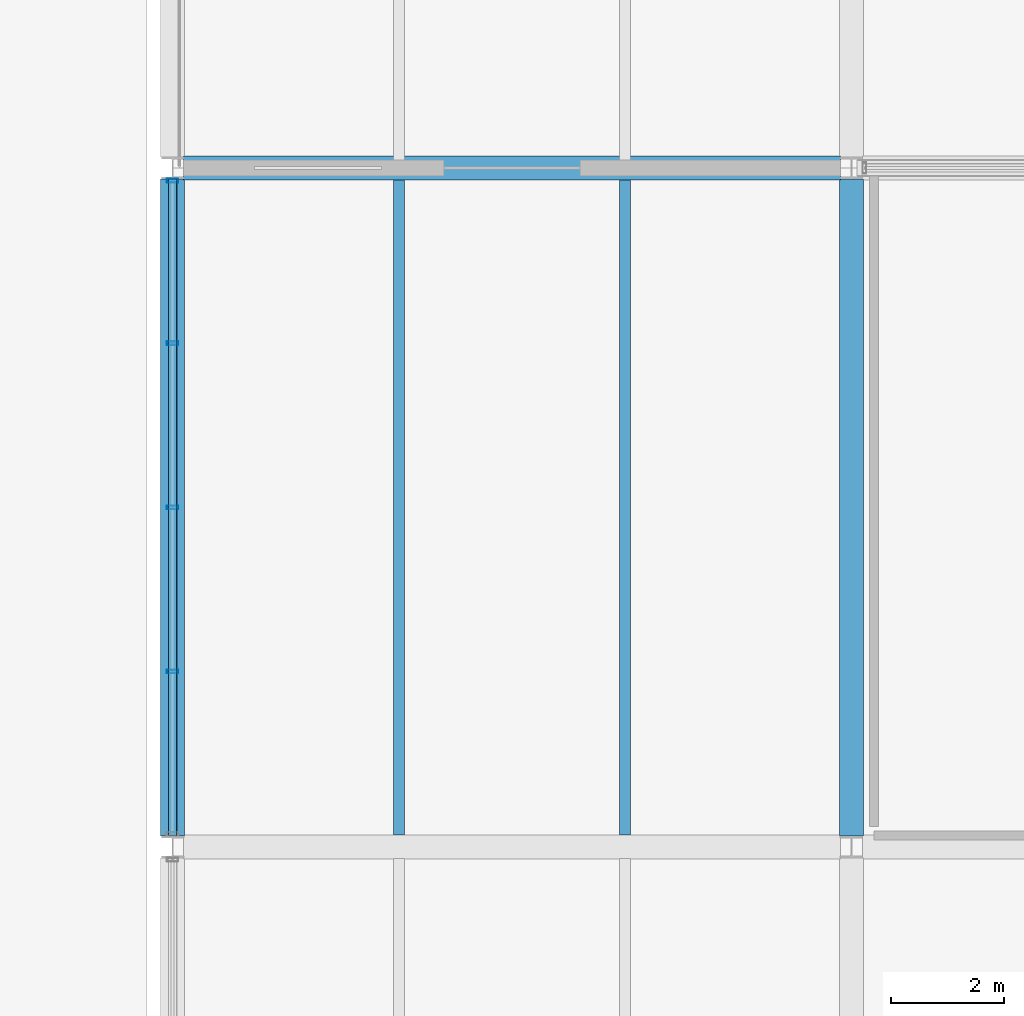
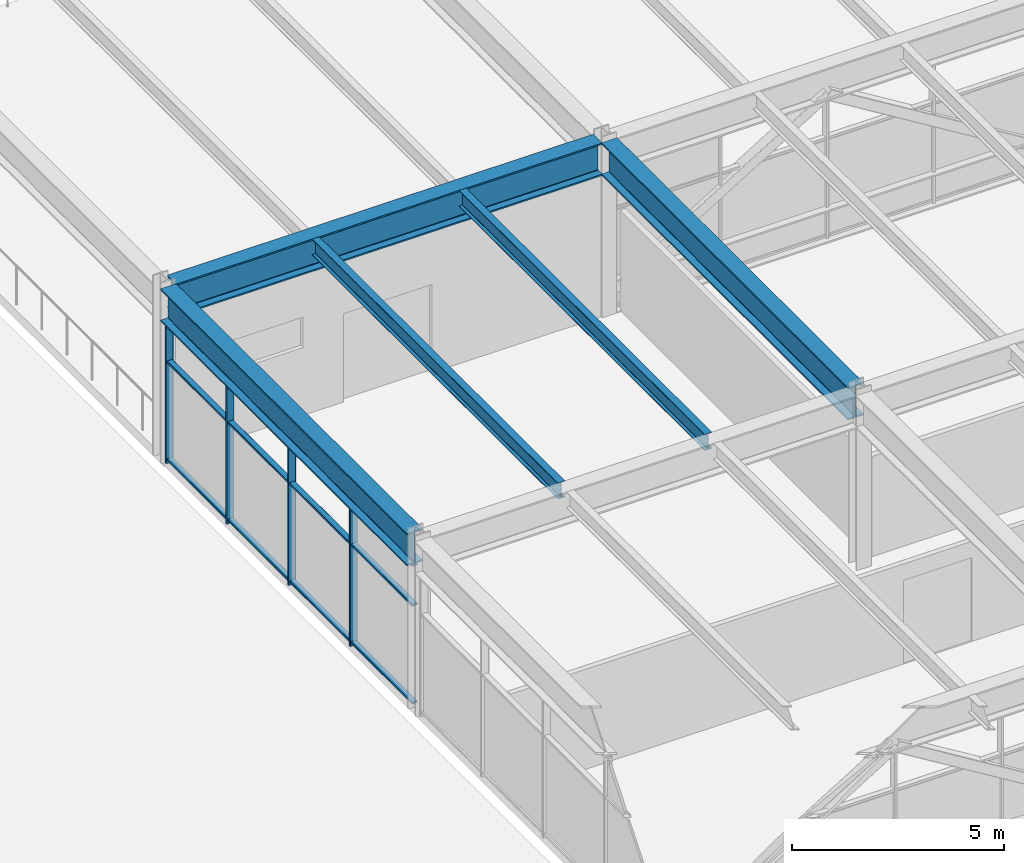
# One storey, part 9 of 42: 7 members, 5 beams, 1 element without a shape of its own.
"""IFC4 building model written with IfcOpenShell, lengths in metres."""

from ifc_helpers import new_model, si_unit, direction, frame, origin, origin_2d, place, context, subcontext, project, spatial, hollow_rectangle, i_section, extrude, material, material_profile, profile_set, type_object, element, aggregate, save


model = new_model("IFC4")

# Units and contexts
model_context = context("Model", 3, precision=1e-05, world=origin(), true_north=direction((0.0, 1.0)))
body_context = subcontext(model_context, "Body", "Model", "MODEL_VIEW")
ifc_project = project(units=[si_unit("LENGTHUNIT", "METRE"), si_unit("AREAUNIT", "SQUARE_METRE"), si_unit("VOLUMEUNIT", "CUBIC_METRE"), si_unit("PLANEANGLEUNIT", "RADIAN"), si_unit("MASSUNIT", "GRAM", prefix="KILO")], contexts=[model_context])

# Site, building, storey
site_placement = place(None, origin())
site = spatial("IfcSite", under=ifc_project, at=site_placement, CompositionType="ELEMENT")
building_placement = place(site_placement, origin())
building = spatial("IfcBuilding", under=site, at=building_placement, Name="Girod Span Mobility Hub", CompositionType="ELEMENT")
storey_placement = place(building_placement, frame((0.0, 0.0, 32.39990234375)))
storey = spatial("IfcBuildingStorey", under=building, at=storey_placement, Name="L08", CompositionType="ELEMENT", Elevation=32.39990234375)

# Beams
ifc_material_1 = material(Name="Steel A992 Grade 50", Category="steel")
ifc_material_profile_1 = material_profile(ifc_material_1, i_section(OverallWidth=0.19189453125, OverallDepth=0.462890625, WebThickness=0.010498046875, FlangeThickness=0.017578125, FilletRadius=0.013916015625, at=origin_2d()), Name="W18X60")
ifc_profile_set_1 = profile_set([ifc_material_profile_1], Name="Steel A992 Grade 50")
beam_type_1 = type_object("IfcBeamType", Name="BM-STL-W18X60", PredefinedType="BEAM", material=ifc_profile_set_1)
for number, where, z_axis, x_axis, name in (
    (1, (28.0, 57.20849609375, 4.80859375), (0.0, 1.0, 0.0), (-1.0, 0.0, 0.0), "Composite Floorbeam 3/E-1 L08"),
    (2, (32.0, 57.20849609375, 4.80859375), (0.0, 1.0, 0.0), (-1.0, 0.0, 0.0), "Composite Floorbeam 3/E-2 L08"),
):
    element("IfcBeam", number, at=place(storey_placement, frame(where, z_axis=z_axis, x_axis=x_axis)), inside=storey, type_object=beam_type_1, Name=name, PredefinedType="BEAM", context=body_context, shape_type="SweptSolid", body=[
        extrude(i_section(OverallWidth=0.19189453125, OverallDepth=0.462890625, WebThickness=0.010498046875, FlangeThickness=0.017578125, FilletRadius=0.013916015625, at=origin_2d()), origin(), (0.0, 0.0, 1.0), 11.5830078125),
    ])
ifc_material_2 = material(Name="Steel A992 Grade 50", Category="steel")
ifc_material_profile_2 = material_profile(ifc_material_2, i_section(OverallWidth=0.423095703125, OverallDepth=0.93994140625, WebThickness=0.02392578125, FlangeThickness=0.042724609375, FilletRadius=0.02392578125, at=origin_2d()), Name="W36X302")
ifc_profile_set_2 = profile_set([ifc_material_profile_2], Name="Steel A992 Grade 50")
beam_type_2 = type_object("IfcBeamType", Name="BM-STL-W36X302", PredefinedType="BEAM", material=ifc_profile_set_2)
beam_placement = place(storey_placement, frame((24.196533203125, 69.0, 4.570068359375), z_axis=(1.0, 0.0, 0.0), x_axis=(0.0, 1.0, 0.0)))
element("IfcBeam", 3, at=beam_placement, inside=storey, type_object=beam_type_2, Name="Girder 3-4/F L08", PredefinedType="BEAM", context=body_context, shape_type="SweptSolid", body=[
    extrude(i_section(OverallWidth=0.423095703125, OverallDepth=0.93994140625, WebThickness=0.02392578125, FlangeThickness=0.042724609375, FilletRadius=0.02392578125, at=origin_2d()), origin(), (0.0, 0.0, 1.0), 11.60693359375),
])
for number, where, z_axis, x_axis, name in (
    (4, (24.0, 57.193603515625, 4.570068359375), (0.0, 1.0, 0.0), (-1.0, 0.0, 0.0), "Tie Girder 3/E-F L08"),
    (5, (36.0, 57.193603515625, 4.570068359375), (0.0, 1.0, 0.0), (-1.0, 0.0, 0.0), "Tie Girder 4/E-F L08"),
):
    element("IfcBeam", number, at=place(storey_placement, frame(where, z_axis=z_axis, x_axis=x_axis)), inside=storey, type_object=beam_type_2, Name=name, PredefinedType="BEAM", context=body_context, shape_type="SweptSolid", body=[
        extrude(i_section(OverallWidth=0.423095703125, OverallDepth=0.93994140625, WebThickness=0.02392578125, FlangeThickness=0.042724609375, FilletRadius=0.02392578125, at=origin_2d()), origin(), (0.0, 0.0, 1.0), 11.61279296875),
    ])

# Curtain wall, members
ifc_material_3 = material(Name="Thermally Broken Anodised Aluminium", Category="aluminium")
curtain_wall_type = type_object("IfcCurtainWallType", Name="CW-1161X410", PredefinedType="USERDEFINED", material=ifc_material_3)
curtain_wall_placement = place(storey_placement, origin())
curtain_wall = element("IfcCurtainWall", 6, at=curtain_wall_placement, inside=storey, type_object=curtain_wall_type, Name="Unitised Curtain Wall CW-L08-WE L08", ObjectType="UNITISED CURTAIN WALL", PredefinedType="USERDEFINED")
ifc_material_4 = material(Name="Thermally Broken Anodised Aluminium", Category="aluminium")
ifc_material_profile_3 = material_profile(ifc_material_4, hollow_rectangle(XDim=0.199951171875, YDim=0.06494140625, WallThickness=0.00390625, InnerFilletRadius=0.00390625, OuterFilletRadius=0.008056640625, at=origin_2d()), Name="CW-ML-65X200")
ifc_profile_set_3 = profile_set([ifc_material_profile_3], Name="Thermally Broken Anodised Aluminium")
member_type_1 = type_object("IfcMemberType", Name="CWM-ML-1", PredefinedType="MULLION", material=ifc_profile_set_3)
member_1_placement = place(storey_placement, frame((24.0, 60.09716796875, 0.0), z_axis=(0.0, 0.0, 1.0), x_axis=(1.0, 0.0, 0.0)))
member_1 = element("IfcMember", 7, at=member_1_placement, type_object=member_type_1, Name="Curtain Wall Mullion CW-L08-WE-M1", PredefinedType="MULLION", context=body_context, shape_type="SweptSolid", body=[
    extrude(hollow_rectangle(XDim=0.199951171875, YDim=0.06494140625, WallThickness=0.00390625, InnerFilletRadius=0.00390625, OuterFilletRadius=0.008056640625, at=origin_2d()), origin(), (0.0, 0.0, 1.0), 4.10009765625),
])
member_2_placement = place(storey_placement, frame((24.0, 63.0, 0.0), z_axis=(0.0, 0.0, 1.0), x_axis=(1.0, 0.0, 0.0)))
member_2 = element("IfcMember", 8, at=member_2_placement, type_object=member_type_1, Name="Curtain Wall Mullion CW-L08-WE-M2", PredefinedType="MULLION", context=body_context, shape_type="SweptSolid", body=[
    extrude(hollow_rectangle(XDim=0.199951171875, YDim=0.06494140625, WallThickness=0.00390625, InnerFilletRadius=0.00390625, OuterFilletRadius=0.008056640625, at=origin_2d()), origin(), (0.0, 0.0, 1.0), 4.10009765625),
])
member_3_placement = place(storey_placement, frame((24.0, 65.902587890625, 0.0), z_axis=(0.0, 0.0, 1.0), x_axis=(1.0, 0.0, 0.0)))
member_3 = element("IfcMember", 9, at=member_3_placement, type_object=member_type_1, Name="Curtain Wall Mullion CW-L08-WE-M3", PredefinedType="MULLION", context=body_context, shape_type="SweptSolid", body=[
    extrude(hollow_rectangle(XDim=0.199951171875, YDim=0.06494140625, WallThickness=0.00390625, InnerFilletRadius=0.00390625, OuterFilletRadius=0.008056640625, at=origin_2d()), origin(), (0.0, 0.0, 1.0), 4.10009765625),
])
member_4_placement = place(storey_placement, frame((24.0, 68.7734375, 0.0), z_axis=(0.0, 0.0, 1.0), x_axis=(1.0, 0.0, 0.0)))
member_4 = element("IfcMember", 10, at=member_4_placement, type_object=member_type_1, Name="Curtain Wall Mullion CW-L08-WE-M4", PredefinedType="MULLION", context=body_context, shape_type="SweptSolid", body=[
    extrude(hollow_rectangle(XDim=0.199951171875, YDim=0.06494140625, WallThickness=0.00390625, InnerFilletRadius=0.00390625, OuterFilletRadius=0.008056640625, at=origin_2d()), origin(), (0.0, 0.0, 1.0), 4.10009765625),
])
ifc_material_5 = material(Name="Thermally Broken Anodised Aluminium", Category="aluminium")
ifc_material_profile_4 = material_profile(ifc_material_5, hollow_rectangle(XDim=0.14990234375, YDim=0.06494140625, WallThickness=0.00390625, InnerFilletRadius=0.00390625, OuterFilletRadius=0.008056640625, at=origin_2d()), Name="CW-TR-65X150")
ifc_profile_set_4 = profile_set([ifc_material_profile_4], Name="Thermally Broken Anodised Aluminium")
member_type_2 = type_object("IfcMemberType", Name="CWM-TR-1", PredefinedType="USERDEFINED", material=ifc_profile_set_4)
member_5_placement = place(storey_placement, frame((24.0, 57.194580078125, 0.107666015625), z_axis=(0.0, 1.0, 0.0), x_axis=(-1.0, 0.0, 0.0)))
member_5 = element("IfcMember", 11, at=member_5_placement, type_object=member_type_2, Name="Curtain Wall Transom CW-L08-WE-T1", ObjectType="TRANSOM", PredefinedType="USERDEFINED", context=body_context, shape_type="SweptSolid", body=[
    extrude(hollow_rectangle(XDim=0.14990234375, YDim=0.06494140625, WallThickness=0.00390625, InnerFilletRadius=0.00390625, OuterFilletRadius=0.008056640625, at=origin_2d()), origin(), (0.0, 0.0, 1.0), 11.61083984375),
])
member_6_placement = place(storey_placement, frame((24.0, 57.194580078125, 2.919677734375), z_axis=(0.0, 1.0, 0.0), x_axis=(-1.0, 0.0, 0.0)))
member_6 = element("IfcMember", 12, at=member_6_placement, type_object=member_type_2, Name="Curtain Wall Transom CW-L08-WE-T2", ObjectType="TRANSOM", PredefinedType="USERDEFINED", context=body_context, shape_type="SweptSolid", body=[
    extrude(hollow_rectangle(XDim=0.14990234375, YDim=0.06494140625, WallThickness=0.00390625, InnerFilletRadius=0.00390625, OuterFilletRadius=0.008056640625, at=origin_2d()), origin(), (0.0, 0.0, 1.0), 11.61083984375),
])
member_7_placement = place(storey_placement, frame((24.0, 57.194580078125, 4.067626953125), z_axis=(0.0, 1.0, 0.0), x_axis=(-1.0, 0.0, 0.0)))
member_7 = element("IfcMember", 13, at=member_7_placement, type_object=member_type_2, Name="Curtain Wall Transom CW-L08-WE-T3", ObjectType="TRANSOM", PredefinedType="USERDEFINED", context=body_context, shape_type="SweptSolid", body=[
    extrude(hollow_rectangle(XDim=0.14990234375, YDim=0.06494140625, WallThickness=0.00390625, InnerFilletRadius=0.00390625, OuterFilletRadius=0.008056640625, at=origin_2d()), origin(), (0.0, 0.0, 1.0), 11.61083984375),
])
aggregate(curtain_wall, [member_1, member_2, member_3, member_4, member_5, member_6, member_7])

save(model, "model.ifc")
